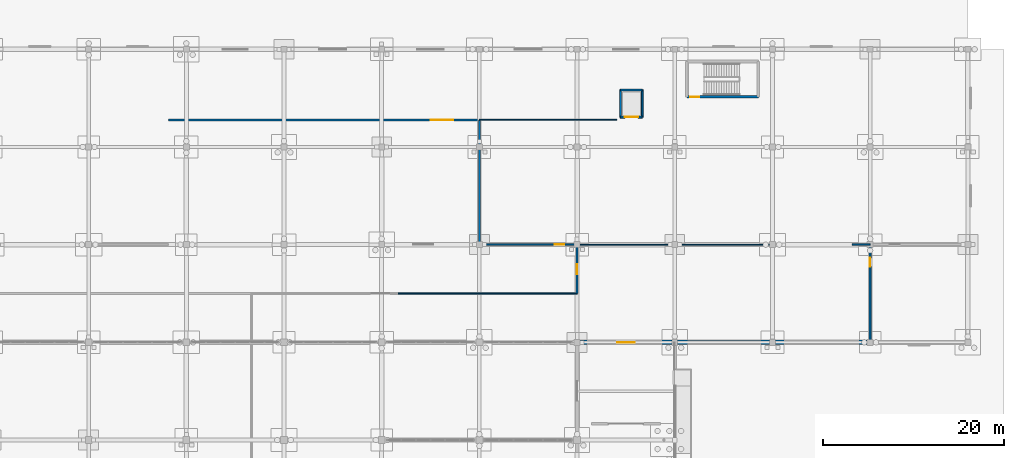
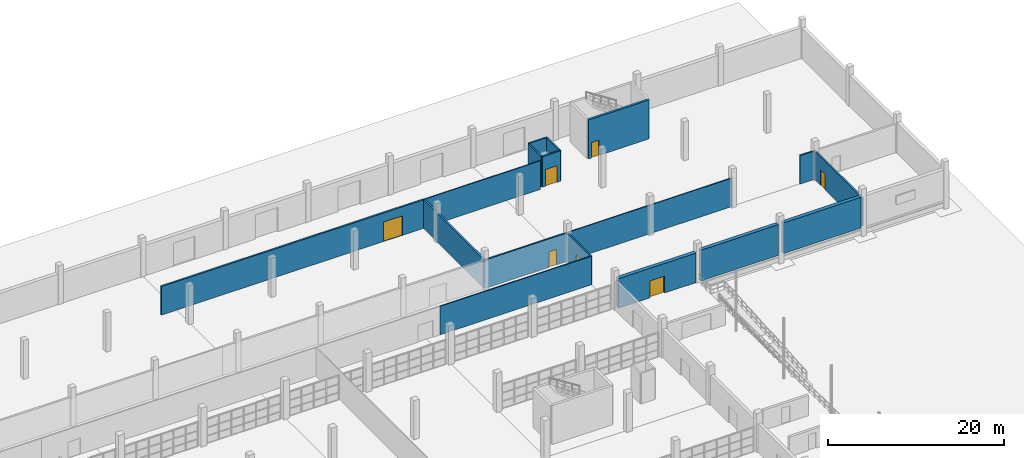
# One storey, part 114 of 138: 17 walls, 7 doors, 7 openings.
"""IFC4 building model written with IfcOpenShell, lengths in metres."""

from ifc_helpers import new_model, si_unit, direction, frame, frame_2d, origin, place, context, subcontext, project, spatial, rectangle, extrude, material, layer, layer_set, type_object, element, fill, save


model = new_model("IFC4")

# Units and contexts
model_context = context("Model", 3, precision=1e-05, world=origin(), true_north=direction((0.0, 1.0)))
body_context = subcontext(model_context, "Body", "Model", "MODEL_VIEW")
ifc_project = project(units=[si_unit("LENGTHUNIT", "METRE"), si_unit("AREAUNIT", "SQUARE_METRE"), si_unit("VOLUMEUNIT", "CUBIC_METRE"), si_unit("PLANEANGLEUNIT", "RADIAN"), si_unit("MASSUNIT", "GRAM", prefix="KILO")], contexts=[model_context])

# Site, building, storey
site_placement = place(None, origin())
site = spatial("IfcSite", under=ifc_project, at=site_placement, CompositionType="ELEMENT")
building_placement = place(site_placement, origin())
building = spatial("IfcBuilding", under=site, at=building_placement, Name="Zwinboog Wholesale Market", CompositionType="ELEMENT")
storey_placement = place(building_placement, origin())
storey = spatial("IfcBuildingStorey", under=building, at=storey_placement, Name="L00", CompositionType="ELEMENT", Elevation=0.0)

# Wall, opening, door
ifc_material_1 = material(Name="Precast concrete C45/55", Category="concrete")
ifc_layer_1 = layer(ifc_material_1, 0.47998046875)
ifc_layer_set_1 = layer_set([ifc_layer_1], Name="Precast concrete C45/55")
wall_type_1 = type_object("IfcWallType", Name="WT-EW-480", PredefinedType="STANDARD", material=ifc_layer_set_1)
wall_1_placement = place(storey_placement, frame((173.1201171875, 97.199951171875, 0.0), z_axis=(0.0, 0.0, 1.0), x_axis=(1.0, 0.0, 0.0)))
wall_1 = element("IfcWall", 1, at=wall_1_placement, inside=storey, type_object=wall_type_1, Name="EW-06 (WL-EW-L00-069)", PredefinedType="STANDARD", context=body_context, shape_type="SweptSolid", body=[
    extrude(rectangle(XDim=10.159912109375, YDim=0.47998046875, at=frame_2d((5.080078125, 0.0))), origin(), (0.0, 0.0, 1.0), 4.097900390625),
])
opening_1_placement = place(wall_1_placement, frame((4.1201171875, 0.0, 0.0)))
opening_1 = element("IfcOpeningElement", 2, at=opening_1_placement, cuts=wall_1, Name="Opening EX-17", PredefinedType="OPENING", context=body_context, shape_type="SweptSolid", body=[
    extrude(rectangle(XDim=1.919921875, YDim=2.35009765625, at=frame_2d((0.9599609375, 1.175048828125))), frame((0.0, 0.25, 0.0), z_axis=(0.0, -1.0, 0.0), x_axis=(1.0, 0.0, 0.0)), (0.0, 0.0, 1.0), 0.5),
])
ifc_material_2 = material(Name="Insulated powder-coated steel and aluminium door", Category="steel")
door_type_1 = type_object("IfcDoorType", Name="EDT-EX-192", OperationType="DOUBLE_DOOR_SINGLE_SWING", PredefinedType="DOOR", material=ifc_material_2)
door_1_placement = place(opening_1_placement, frame((1.919921875, 0.0, 0.0), z_axis=(0.0, 0.0, 1.0), x_axis=(-1.0, 0.0, 0.0)))
door_1 = element("IfcDoor", 3, at=door_1_placement, inside=storey, type_object=door_type_1, Name="Pedestrian Exit Door EX-17", OperationType="DOUBLE_DOOR_SINGLE_SWING", OverallHeight=2.35009765625, OverallWidth=1.919921875, PredefinedType="DOOR", context=body_context, shape_type="SweptSolid", body=[
    extrude(rectangle(XDim=1.919921875, YDim=2.35009765625, at=frame_2d((0.9599609375, 1.175048828125))), frame((0.0, 0.02490234375, 0.0), z_axis=(0.0, -1.0, 0.0), x_axis=(1.0, 0.0, 0.0)), (0.0, 0.0, 1.0), 0.050048828125),
])
fill(opening_1, door_1)

# Walls
wall_2_placement = place(storey_placement, frame((183.919921875, 97.199951171875, 0.0), z_axis=(0.0, 0.0, 1.0), x_axis=(1.0, 0.0, 0.0)))
element("IfcWall", 4, at=wall_2_placement, inside=storey, type_object=wall_type_1, Name="EW-06 (WL-EW-L00-073)", PredefinedType="STANDARD", context=body_context, shape_type="SweptSolid", body=[
    extrude(rectangle(XDim=10.16015625, YDim=0.47998046875, at=frame_2d((5.080078125, 0.0))), origin(), (0.0, 0.0, 1.0), 4.25),
])
wall_3_placement = place(storey_placement, frame((194.719970703125, 97.199951171875, 0.0), z_axis=(0.0, 0.0, 1.0), x_axis=(1.0, 0.0, 0.0)))
element("IfcWall", 5, at=wall_3_placement, inside=storey, type_object=wall_type_1, Name="EW-06 (WL-EW-L00-077)", PredefinedType="STANDARD", context=body_context, shape_type="SweptSolid", body=[
    extrude(rectangle(XDim=10.159912109375, YDim=0.47998046875, at=frame_2d((5.080078125, 0.0))), origin(), (0.0, 0.0, 1.0), 4.25),
])

# Wall, opening, door
ifc_material_3 = material(Name="Concrete C40/50", Category="concrete")
ifc_layer_2 = layer(ifc_material_3, 0.280029296875)
ifc_layer_set_2 = layer_set([ifc_layer_2], Name="Concrete C40/50")
wall_type_2 = type_object("IfcWallType", Name="WT-SW-280", PredefinedType="SHEAR", material=ifc_layer_set_2)
wall_4_placement = place(storey_placement, frame((184.949951171875, 124.35009765625, 0.0), z_axis=(0.0, 0.0, 1.0), x_axis=(1.0, 0.0, 0.0)))
wall_4 = element("IfcWall", 6, at=wall_4_placement, inside=storey, type_object=wall_type_2, Name="SW-01 (WL-SW-L00-033)", PredefinedType="SHEAR", context=body_context, shape_type="SweptSolid", body=[
    extrude(rectangle(XDim=7.900146484375, YDim=0.280029296875, at=frame_2d((3.9501953125, 0.0))), origin(), (0.0, 0.0, 1.0), 5.39990234375),
])
opening_2_placement = place(wall_4_placement, frame((0.3798828125, 0.0, 0.0)))
opening_2 = element("IfcOpeningElement", 7, at=opening_2_placement, cuts=wall_4, Name="Opening FD-0009", PredefinedType="OPENING", context=body_context, shape_type="SweptSolid", body=[
    extrude(rectangle(XDim=1.0, YDim=2.14990234375, at=frame_2d((0.5, 1.074951171875))), frame((0.0, 0.14990234375, 0.0), z_axis=(0.0, -1.0, 0.0), x_axis=(1.0, 0.0, 0.0)), (0.0, 0.0, 1.0), 0.300048828125),
])
ifc_material_4 = material(Name="Timber and powder-coated steel door leaf", Category="steel")
door_type_2 = type_object("IfcDoorType", Name="IDT-FD-01", OperationType="NOTDEFINED", PredefinedType="DOOR", material=ifc_material_4)
door_2_placement = place(opening_2_placement, origin())
door_2 = element("IfcDoor", 8, at=door_2_placement, inside=storey, type_object=door_type_2, Name="Core Fire Door FD-0009", OperationType="SINGLE_SWING_RIGHT", OverallHeight=2.14990234375, OverallWidth=1.0, PredefinedType="DOOR", context=body_context, shape_type="SweptSolid", body=[
    extrude(rectangle(XDim=1.0, YDim=2.14990234375, at=frame_2d((0.5, 1.074951171875))), frame((0.0, 0.02490234375, 0.0), z_axis=(0.0, -1.0, 0.0), x_axis=(1.0, 0.0, 0.0)), (0.0, 0.0, 1.0), 0.050048828125),
])
fill(opening_2, door_2)

ifc_layer_3 = layer(ifc_material_1, 0.179931640625)
ifc_layer_set_3 = layer_set([ifc_layer_3], Name="Precast concrete C45/55")
wall_type_3 = type_object("IfcWallType", Name="WT-IW-180", PredefinedType="PARTITIONING", material=ifc_layer_set_3)
wall_5_placement = place(storey_placement, frame((162.0, 108.0, 0.0), z_axis=(0.0, 0.0, 1.0), x_axis=(1.0, 0.0, 0.0)))
wall_5 = element("IfcWall", 9, at=wall_5_placement, inside=storey, type_object=wall_type_3, Name="IW-01 (WL-IN-L00-0037)", PredefinedType="PARTITIONING", context=body_context, shape_type="SweptSolid", body=[
    extrude(rectangle(XDim=10.800048828125, YDim=0.179931640625, at=frame_2d((5.39990234375, 0.0))), origin(), (0.0, 0.0, 1.0), 3.949951171875),
])
opening_3_placement = place(wall_5_placement, frame((8.35595703125, 0.0, 0.0)))
opening_3 = element("IfcOpeningElement", 10, at=opening_3_placement, cuts=wall_5, Name="Opening IDF-0033", PredefinedType="OPENING", context=body_context, shape_type="SweptSolid", body=[
    extrude(rectangle(XDim=1.0, YDim=2.14990234375, at=frame_2d((0.5, 1.074951171875))), frame((0.0, 0.099853515625, 0.0), z_axis=(0.0, -1.0, 0.0), x_axis=(1.0, 0.0, 0.0)), (0.0, 0.0, 1.0), 0.199951171875),
])
door_3_placement = place(opening_3_placement, frame((1.0, 0.0, 0.0), z_axis=(0.0, 0.0, 1.0), x_axis=(-1.0, 0.0, 0.0)))
door_3 = element("IfcDoor", 11, at=door_3_placement, inside=storey, type_object=door_type_2, Name="Interior Door IDF-0033", OperationType="SINGLE_SWING_RIGHT", OverallHeight=2.14990234375, OverallWidth=1.0, PredefinedType="DOOR", context=body_context, shape_type="SweptSolid", body=[
    extrude(rectangle(XDim=1.0, YDim=2.14990234375, at=frame_2d((0.5, 1.074951171875))), frame((0.0, 0.02490234375, 0.0), z_axis=(0.0, -1.0, 0.0), x_axis=(1.0, 0.0, 0.0)), (0.0, 0.0, 1.0), 0.050048828125),
])
fill(opening_3, door_3)

# Wall
wall_6_placement = place(storey_placement, frame((203.199951171875, 108.0, 0.0), z_axis=(0.0, 0.0, 1.0), x_axis=(1.0, 0.0, 0.0)))
element("IfcWall", 12, at=wall_6_placement, inside=storey, type_object=wall_type_3, Name="IW-01 (WL-IN-L00-0109)", PredefinedType="PARTITIONING", context=body_context, shape_type="SweptSolid", body=[
    extrude(rectangle(XDim=2.0, YDim=0.179931640625, at=frame_2d((1.0, 0.0))), origin(), (0.0, 0.0, 1.0), 3.949951171875),
])

# Wall, opening, door
ifc_layer_4 = layer(ifc_material_1, 0.199951171875)
ifc_layer_set_4 = layer_set([ifc_layer_4], Name="Precast concrete C45/55")
wall_type_4 = type_object("IfcWallType", Name="WT-IW-200", PredefinedType="SOLIDWALL", material=ifc_layer_set_4)
wall_7_placement = place(storey_placement, frame((177.60009765625, 122.10009765625, 0.0), z_axis=(0.0, 0.0, 1.0), x_axis=(1.0, 0.0, 0.0)))
wall_7 = element("IfcWall", 13, at=wall_7_placement, inside=storey, type_object=wall_type_4, Name="IW-60 (WL-LSH-L00-245)", PredefinedType="SOLIDWALL", context=body_context, shape_type="SweptSolid", body=[
    extrude(rectangle(XDim=2.39990234375, YDim=0.199951171875, at=frame_2d((1.199951171875, 0.0))), origin(), (0.0, 0.0, 1.0), 4.219970703125),
])
opening_4_placement = place(wall_7_placement, frame((0.449951171875, 0.0, 0.0)))
opening_4 = element("IfcOpeningElement", 14, at=opening_4_placement, cuts=wall_7, Name="Opening LD-020", PredefinedType="OPENING", context=body_context, shape_type="SweptSolid", body=[
    extrude(rectangle(XDim=1.5, YDim=2.300048828125, at=frame_2d((0.75, 1.14990234375))), frame((0.0, 0.10986328125, 0.0), z_axis=(0.0, -1.0, 0.0), x_axis=(1.0, 0.0, 0.0)), (0.0, 0.0, 1.0), 0.219970703125),
])
door_type_3 = type_object("IfcDoorType", Name="IDT-LD-150", OperationType="DOUBLE_DOOR_SLIDING", PredefinedType="DOOR", material=ifc_material_4)
door_4_placement = place(opening_4_placement, origin())
door_4 = element("IfcDoor", 15, at=door_4_placement, inside=storey, type_object=door_type_3, Name="Lift Landing Door LD-020 (LG-03)", OperationType="DOUBLE_DOOR_SLIDING", OverallHeight=2.300048828125, OverallWidth=1.5, PredefinedType="DOOR", context=body_context, shape_type="SweptSolid", body=[
    extrude(rectangle(XDim=1.5, YDim=2.300048828125, at=frame_2d((0.75, 1.14990234375))), frame((0.0, 0.02490234375, 0.0), z_axis=(0.0, -1.0, 0.0), x_axis=(1.0, 0.0, 0.0)), (0.0, 0.0, 1.0), 0.050048828125),
])
fill(opening_4, door_4)

# Walls
wall_8_placement = place(storey_placement, frame((177.60009765625, 125.10009765625, 0.0), z_axis=(0.0, 0.0, 1.0), x_axis=(1.0, 0.0, 0.0)))
element("IfcWall", 16, at=wall_8_placement, inside=storey, type_object=wall_type_4, Name="IW-60 (WL-LSH-L00-246)", PredefinedType="SOLIDWALL", context=body_context, shape_type="SweptSolid", body=[
    extrude(rectangle(XDim=2.39990234375, YDim=0.199951171875, at=frame_2d((1.199951171875, 0.0))), origin(), (0.0, 0.0, 1.0), 4.219970703125),
])
for number, where, z_axis, x_axis, name in (
    (17, (177.60009765625, 122.10009765625, 0.0), (0.0, 0.0, 1.0), (0.0, 1.0, 0.0), "IW-60 (WL-LSH-L00-247)"),
    (18, (180.0, 122.10009765625, 0.0), (0.0, 0.0, 1.0), (0.0, 1.0, 0.0), "IW-60 (WL-LSH-L00-248)"),
):
    element("IfcWall", number, at=place(storey_placement, frame(where, z_axis=z_axis, x_axis=x_axis)), inside=storey, type_object=wall_type_4, Name=name, PredefinedType="SOLIDWALL", context=body_context, shape_type="SweptSolid", body=[
        extrude(rectangle(XDim=3.0, YDim=0.199951171875, at=frame_2d((1.5, 0.0))), origin(), (0.0, 0.0, 1.0), 4.219970703125),
    ])

# Wall, opening, door
ifc_layer_5 = layer(ifc_material_1, 0.215087890625)
ifc_layer_set_5 = layer_set([ifc_layer_5], Name="Precast concrete C45/55")
wall_type_5 = type_object("IfcWallType", Name="WT-IW-215", PredefinedType="PARTITIONING", material=ifc_layer_set_5)
wall_9_placement = place(storey_placement, frame((172.800048828125, 102.60009765625, 0.0), z_axis=(0.0, 0.0, 1.0), x_axis=(0.0, 1.0, 0.0)))
wall_9 = element("IfcWall", 19, at=wall_9_placement, inside=storey, type_object=wall_type_5, Name="IW-02 (WL-IN-L00-0038)", PredefinedType="PARTITIONING", context=body_context, shape_type="SweptSolid", body=[
    extrude(rectangle(XDim=5.39990234375, YDim=0.215087890625, at=frame_2d((2.699951171875, 0.0))), origin(), (0.0, 0.0, 1.0), 3.949951171875),
])
opening_5_placement = place(wall_9_placement, frame((2.14990234375, 0.0, 0.0)))
opening_5 = element("IfcOpeningElement", 20, at=opening_5_placement, cuts=wall_9, Name="Opening IDF-0034", PredefinedType="OPENING", context=body_context, shape_type="SweptSolid", body=[
    extrude(rectangle(XDim=1.10009765625, YDim=2.199951171875, at=frame_2d((0.550048828125, 1.10009765625))), frame((0.0, 0.117431640625, 0.0), z_axis=(0.0, -1.0, 0.0), x_axis=(1.0, 0.0, 0.0)), (0.0, 0.0, 1.0), 0.235107421875),
])
door_type_4 = type_object("IfcDoorType", Name="IDT-FD-02", OperationType="NOTDEFINED", PredefinedType="DOOR", material=ifc_material_4)
door_5_placement = place(opening_5_placement, origin())
door_5 = element("IfcDoor", 21, at=door_5_placement, inside=storey, type_object=door_type_4, Name="Interior Door IDF-0034", OperationType="SINGLE_SWING_LEFT", OverallHeight=2.199951171875, OverallWidth=1.10009765625, PredefinedType="DOOR", context=body_context, shape_type="SweptSolid", body=[
    extrude(rectangle(XDim=1.10009765625, YDim=2.199951171875, at=frame_2d((0.550048828125, 1.10009765625))), frame((0.0, 0.02490234375, 0.0), z_axis=(0.0, -1.0, 0.0), x_axis=(1.0, 0.0, 0.0)), (0.0, 0.0, 1.0), 0.050048828125),
])
fill(opening_5, door_5)

wall_10_placement = place(storey_placement, frame((205.199951171875, 97.199951171875, 0.0), z_axis=(0.0, 0.0, 1.0), x_axis=(0.0, 1.0, 0.0)))
wall_10 = element("IfcWall", 22, at=wall_10_placement, inside=storey, type_object=wall_type_5, Name="IW-02 (WL-IN-L00-0110)", PredefinedType="PARTITIONING", context=body_context, shape_type="SweptSolid", body=[
    extrude(rectangle(XDim=10.800048828125, YDim=0.215087890625, at=frame_2d((5.39990234375, 0.0))), origin(), (0.0, 0.0, 1.0), 3.949951171875),
])
opening_6_placement = place(wall_10_placement, frame((8.35595703125, 0.0, 0.0)))
opening_6 = element("IfcOpeningElement", 23, at=opening_6_placement, cuts=wall_10, Name="Opening IDF-0041", PredefinedType="OPENING", context=body_context, shape_type="SweptSolid", body=[
    extrude(rectangle(XDim=1.0, YDim=2.14990234375, at=frame_2d((0.5, 1.074951171875))), frame((0.0, 0.117431640625, 0.0), z_axis=(0.0, -1.0, 0.0), x_axis=(1.0, 0.0, 0.0)), (0.0, 0.0, 1.0), 0.235107421875),
])
door_6_placement = place(opening_6_placement, origin())
door_6 = element("IfcDoor", 24, at=door_6_placement, inside=storey, type_object=door_type_2, Name="Interior Door IDF-0041", OperationType="SINGLE_SWING_RIGHT", OverallHeight=2.14990234375, OverallWidth=1.0, PredefinedType="DOOR", context=body_context, shape_type="SweptSolid", body=[
    extrude(rectangle(XDim=1.0, YDim=2.14990234375, at=frame_2d((0.5, 1.074951171875))), frame((0.0, 0.02490234375, 0.0), z_axis=(0.0, -1.0, 0.0), x_axis=(1.0, 0.0, 0.0)), (0.0, 0.0, 1.0), 0.050048828125),
])
fill(opening_6, door_6)

ifc_material_5 = material(Name="Insulated PIR cold-store sandwich panel")
ifc_layer_6 = layer(ifc_material_5, 0.221923828125)
ifc_layer_set_6 = layer_set([ifc_layer_6], Name="Insulated PIR cold-store sandwich panel")
wall_type_6 = type_object("IfcWallType", Name="WT-CS-222", PredefinedType="PARTITIONING", material=ifc_layer_set_6)
wall_11_placement = place(storey_placement, frame((127.60009765625, 121.800048828125, 0.0), z_axis=(0.0, 0.0, 1.0), x_axis=(1.0, 0.0, 0.0)))
wall_11 = element("IfcWall", 25, at=wall_11_placement, inside=storey, type_object=wall_type_6, Name="PW-CS1 (WL-IN-L00-0079)", PredefinedType="PARTITIONING", context=body_context, shape_type="SweptSolid", body=[
    extrude(rectangle(XDim=34.39990234375, YDim=0.221923828125, at=frame_2d((17.199951171875, 0.0))), origin(), (0.0, 0.0, 1.0), 3.949951171875),
])
opening_7_placement = place(wall_11_placement, frame((29.02197265625, 0.0, 0.0)))
opening_7 = element("IfcOpeningElement", 26, at=opening_7_placement, cuts=wall_11, Name="Opening IDF-0039", PredefinedType="OPENING", context=body_context, shape_type="SweptSolid", body=[
    extrude(rectangle(XDim=2.5, YDim=2.699951171875, at=frame_2d((1.25, 1.35009765625))), frame((0.0, 0.120849609375, 0.0), z_axis=(0.0, -1.0, 0.0), x_axis=(1.0, 0.0, 0.0)), (0.0, 0.0, 1.0), 0.241943359375),
])
door_type_5 = type_object("IfcDoorType", Name="IDT-CS-03", OperationType="DOUBLE_DOOR_SLIDING", PredefinedType="DOOR", material=ifc_material_4)
door_7_placement = place(opening_7_placement, frame((2.5, 0.0, 0.0), z_axis=(0.0, 0.0, 1.0), x_axis=(-1.0, 0.0, 0.0)))
door_7 = element("IfcDoor", 27, at=door_7_placement, inside=storey, type_object=door_type_5, Name="Interior Door IDF-0039", OperationType="DOUBLE_DOOR_SLIDING", OverallHeight=2.699951171875, OverallWidth=2.5, PredefinedType="DOOR", context=body_context, shape_type="SweptSolid", body=[
    extrude(rectangle(XDim=2.5, YDim=2.699951171875, at=frame_2d((1.25, 1.35009765625))), frame((0.0, 0.02490234375, 0.0), z_axis=(0.0, -1.0, 0.0), x_axis=(1.0, 0.0, 0.0)), (0.0, 0.0, 1.0), 0.050048828125),
])
fill(opening_7, door_7)

# Walls
ifc_material_6 = material(Name="Insulated PIR freezer sandwich panel")
ifc_layer_7 = layer(ifc_material_6, 0.251953125)
ifc_layer_set_7 = layer_set([ifc_layer_7], Name="Insulated PIR freezer sandwich panel")
wall_type_7 = type_object("IfcWallType", Name="WT-CS-252", PredefinedType="PARTITIONING", material=ifc_layer_set_7)
wall_12_placement = place(storey_placement, frame((162.0, 108.0, 0.0), z_axis=(0.0, 0.0, 1.0), x_axis=(0.0, 1.0, 0.0)))
element("IfcWall", 28, at=wall_12_placement, inside=storey, type_object=wall_type_7, Name="PW-CS2 (WL-IN-L00-0100)", PredefinedType="PARTITIONING", context=body_context, shape_type="SweptSolid", body=[
    extrude(rectangle(XDim=13.800048828125, YDim=0.251953125, at=frame_2d((6.89990234375, 0.0))), origin(), (0.0, 0.0, 1.0), 3.949951171875),
])
ifc_material_7 = material(Name="Gypsum acoustic stud partition")
ifc_layer_8 = layer(ifc_material_7, 0.1240234375)
ifc_layer_set_8 = layer_set([ifc_layer_8], Name="Gypsum acoustic stud partition")
wall_type_8 = type_object("IfcWallType", Name="WT-PT-124", PredefinedType="PARTITIONING", material=ifc_layer_set_8)
wall_13_placement = place(storey_placement, frame((162.0, 121.800048828125, 0.0), z_axis=(0.0, 0.0, 1.0), x_axis=(1.0, 0.0, 0.0)))
element("IfcWall", 29, at=wall_13_placement, inside=storey, type_object=wall_type_8, Name="PW-02 (WL-IN-L00-0101)", PredefinedType="PARTITIONING", context=body_context, shape_type="SweptSolid", body=[
    extrude(rectangle(XDim=15.199951171875, YDim=0.1240234375, at=frame_2d((7.60009765625, 0.0))), origin(), (0.0, 0.0, 1.0), 3.949951171875),
])
wall_14_placement = place(storey_placement, frame((172.800048828125, 108.0, 0.0), z_axis=(0.0, 0.0, 1.0), x_axis=(1.0, 0.0, 0.0)))
element("IfcWall", 30, at=wall_14_placement, inside=storey, type_object=wall_type_8, Name="PW-02 (WL-IN-L00-0107)", PredefinedType="PARTITIONING", context=body_context, shape_type="SweptSolid", body=[
    extrude(rectangle(XDim=21.599853515625, YDim=0.1240234375, at=frame_2d((10.7998046875, 0.0))), origin(), (0.0, 0.0, 1.0), 3.949951171875),
])
ifc_material_8 = material(Name="Fire-rated corridor stud partition")
ifc_layer_9 = layer(ifc_material_8, 0.154052734375)
ifc_layer_set_9 = layer_set([ifc_layer_9], Name="Fire-rated corridor stud partition")
wall_type_9 = type_object("IfcWallType", Name="WT-PT-154", PredefinedType="PARTITIONING", material=ifc_layer_set_9)
wall_15_placement = place(storey_placement, frame((153.0, 102.60009765625, 0.0), z_axis=(0.0, 0.0, 1.0), x_axis=(1.0, 0.0, 0.0)))
element("IfcWall", 31, at=wall_15_placement, inside=storey, type_object=wall_type_9, Name="PW-04 (WL-IN-L00-0095)", PredefinedType="PARTITIONING", context=body_context, shape_type="SweptSolid", body=[
    extrude(rectangle(XDim=19.800048828125, YDim=0.154052734375, at=frame_2d((9.89990234375, 0.0))), origin(), (0.0, 0.0, 1.0), 3.949951171875),
])

save(model, "model.ifc")
